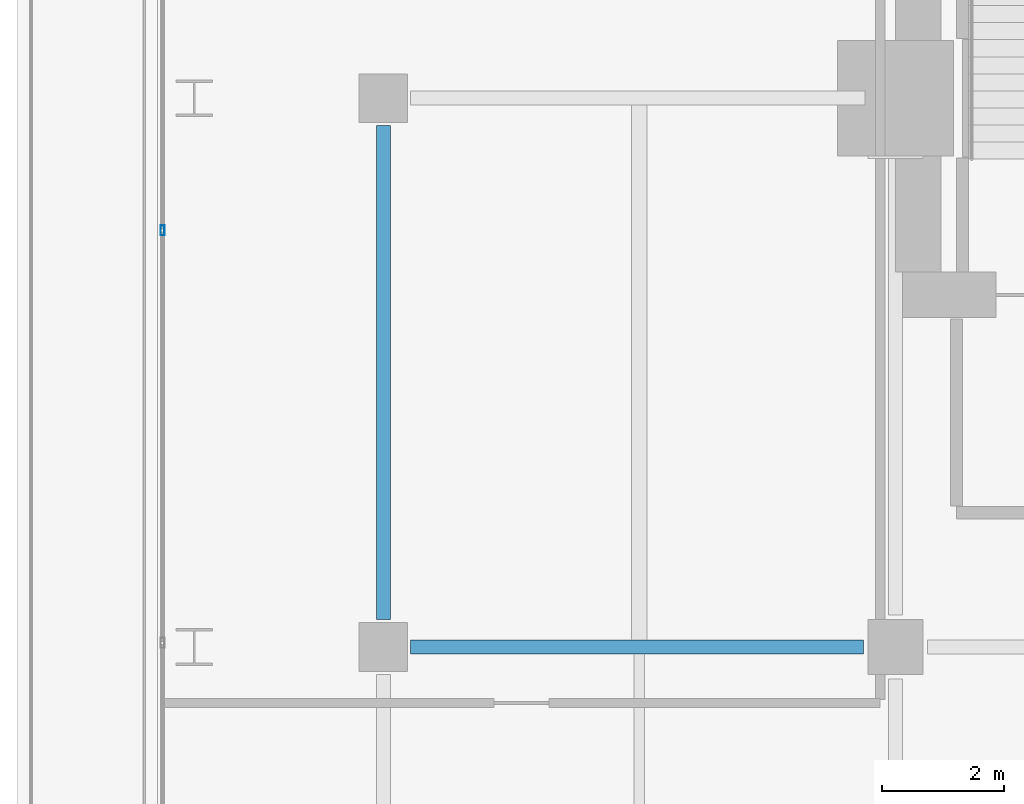
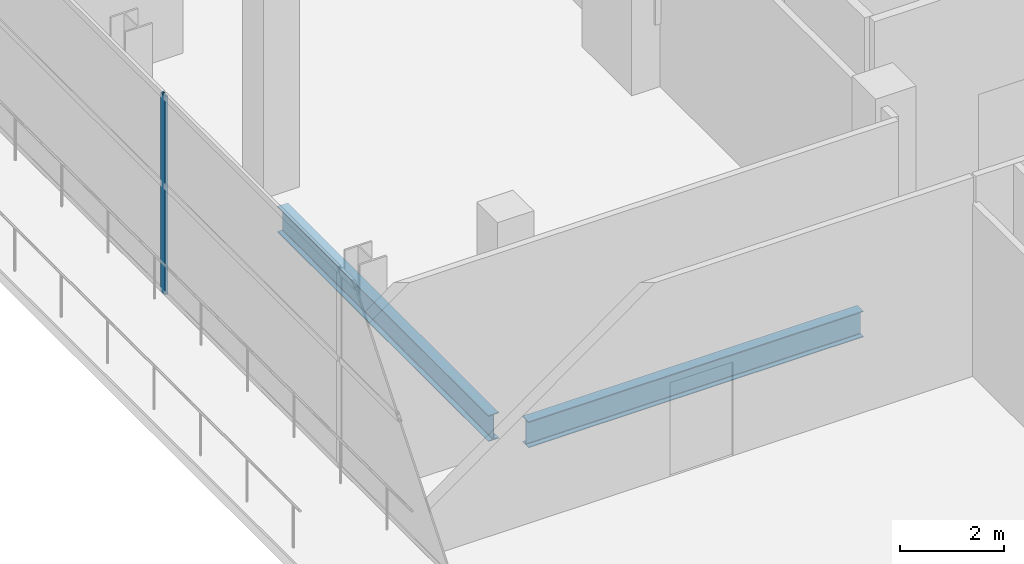
# One storey, part 17 of 31: 2 beams, 1 member, 1 element without a shape of its own.
"""IFC4 building model written with IfcOpenShell, lengths in metres."""

import ifcopenshell
import ifcopenshell.guid

model = None  # the IFC model being written
_history = None  # IfcOwnerHistory: only IFC2X3 demands one
_inside = {}  # id of a spatial element -> (the spatial element, [elements in it])
_under = {}  # id of a project, library or spatial element -> (it, [spatial elements below it])
_declared = {}  # id of a project -> (the project, [libraries it declares])
_typed = {}  # id of a type object -> (the type object, [elements of that type])
_made_of = {}  # id of a material, layer set ... -> (it, [elements and type objects made of it])


def new_model(schema):
    """Start an empty IFC model of exactly this schema.

    Asked for "IFC4X3", IfcOpenShell would pick the latest addendum, in which some entities
    have other attributes; the version numbers below select the first issue.
    IFC2X3 requires an IfcOwnerHistory on every rooted entity: one is made here for all.
    """
    global model, _history
    if schema == "IFC4X3":
        model = ifcopenshell.file(schema_version=(4, 3, 0, 0))
    else:
        model = ifcopenshell.file(schema=schema)
    _inside.clear()
    _under.clear()
    _declared.clear()
    _typed.clear()
    _made_of.clear()
    _history = None
    if model.schema == "IFC2X3":
        org = make("IfcOrganization", Name="unknown")
        user = make(
            "IfcPersonAndOrganization",
            ThePerson=make("IfcPerson", FamilyName="unknown"),
            TheOrganization=org,
        )
        app = make(
            "IfcApplication",
            ApplicationDeveloper=org,
            Version="unknown",
            ApplicationFullName="unknown",
            ApplicationIdentifier="unknown",
        )
        _history = make(
            "IfcOwnerHistory",
            OwningUser=user,
            OwningApplication=app,
            ChangeAction="ADDED",
            CreationDate=0,
        )
    return model


def make(cls, **values):
    """One entity of the class cls with the attributes given. An attribute that is None is left unset."""
    return model.create_entity(
        cls, **{name: value for name, value in values.items() if value is not None}
    )


def rooted(cls, **values):
    """An entity with a GlobalId (a new one), such as an element, a storey or a relation."""
    return make(cls, GlobalId=ifcopenshell.guid.new(), OwnerHistory=_history, **values)


def si_unit(unit_type, name, prefix=None):
    """IfcSIUnit, for example si_unit("LENGTHUNIT", "METRE", prefix="MILLI")."""
    return make("IfcSIUnit", UnitType=unit_type, Prefix=prefix, Name=name)


def assignment(units):
    """IfcUnitAssignment: the units of a project."""
    return None if units is None else make("IfcUnitAssignment", Units=units)


def point(xyz):
    """IfcCartesianPoint."""
    return None if xyz is None else make("IfcCartesianPoint", Coordinates=xyz)


def direction(xyz):
    """IfcDirection."""
    return None if xyz is None else make("IfcDirection", DirectionRatios=xyz)


def frame(location, z_axis=None, x_axis=None):
    """IfcAxis2Placement3D, a coordinate frame: its origin and axes. An axis left out is left unset."""
    return make(
        "IfcAxis2Placement3D",
        Location=point(location),
        Axis=direction(z_axis),
        RefDirection=direction(x_axis),
    )


def frame_2d(location, x_axis=None):
    """IfcAxis2Placement2D, a coordinate frame in the plane: its origin and x axis."""
    return make(
        "IfcAxis2Placement2D", Location=point(location), RefDirection=direction(x_axis)
    )


def origin():
    """The frame at (0, 0, 0) with its axes left unset."""
    return frame((0.0, 0.0, 0.0))


def origin_2d():
    """The frame at (0, 0) in the plane with its x axis left unset."""
    return frame_2d((0.0, 0.0))


def place(relative_to, where):
    """IfcLocalPlacement: puts the frame where relative to a parent placement (None: the world)."""
    return make(
        "IfcLocalPlacement", PlacementRelTo=relative_to, RelativePlacement=where
    )


def context(
    kind, dimensions, precision=None, world=None, true_north=None, identifier=None
):
    """IfcGeometricRepresentationContext, for example the 3D "Model" context."""
    return make(
        "IfcGeometricRepresentationContext",
        ContextIdentifier=identifier,
        ContextType=kind,
        CoordinateSpaceDimension=dimensions,
        Precision=precision,
        WorldCoordinateSystem=world,
        TrueNorth=true_north,
    )


def subcontext(parent, identifier, kind, view, scale=None):
    """IfcGeometricRepresentationSubContext, for example "Body" below "Model"."""
    return make(
        "IfcGeometricRepresentationSubContext",
        ContextIdentifier=identifier,
        ContextType=kind,
        ParentContext=parent,
        TargetScale=scale,
        TargetView=view,
    )


def project(units=None, contexts=None):
    """IfcProject with its units and contexts."""
    return rooted(
        "IfcProject",
        Name="project",
        RepresentationContexts=contexts,
        UnitsInContext=assignment(units),
    )


def spatial(cls, under=None, at=None, **own):
    """A site, building, storey or space (cls), placed at a placement, below another one or the project."""
    s = rooted(cls, ObjectPlacement=at, **own)
    if under is not None:
        _under.setdefault(under.id(), (under, []))[1].append(s)
    return s


def profile(cls, at=None, kind="AREA", **sizes):
    """A parametric profile (cls). Its sizes go by their IFC names, for example OverallWidth=200.0."""
    return make(cls, ProfileType=kind, Position=at, **sizes)


def hollow_rectangle(**sizes):
    """IfcRectangleHollowProfileDef."""
    return profile("IfcRectangleHollowProfileDef", **sizes)


def i_section(**sizes):
    """IfcIShapeProfileDef."""
    return profile("IfcIShapeProfileDef", **sizes)


def extrude(swept, where, along, depth):
    """IfcExtrudedAreaSolid: the profile swept, set in the frame where, extruded along a direction by depth."""
    return make(
        "IfcExtrudedAreaSolid",
        SweptArea=swept,
        Position=where,
        ExtrudedDirection=direction(along),
        Depth=depth,
    )


def shape(context_of_items, identifier, shape_type, items):
    """IfcShapeRepresentation: the items that make up one representation, for example the "Body"."""
    return make(
        "IfcShapeRepresentation",
        ContextOfItems=context_of_items,
        RepresentationIdentifier=identifier,
        RepresentationType=shape_type,
        Items=items,
    )


def material(Name=None, Category=None):
    """IfcMaterial."""
    return make("IfcMaterial", Name=Name, Category=Category)


def layer(
    of_material, thickness, ventilated=None, Name=None, Category=None, Priority=None
):
    """IfcMaterialLayer: one layer of a wall or slab, of a material (None: an air gap)."""
    return make(
        "IfcMaterialLayer",
        Material=of_material,
        LayerThickness=thickness,
        IsVentilated=ventilated,
        Name=Name,
        Category=Category,
        Priority=Priority,
    )


def layer_set(layers, Name=None):
    """IfcMaterialLayerSet."""
    return make("IfcMaterialLayerSet", MaterialLayers=layers, LayerSetName=Name)


def material_profile(
    of_material, cross_section, Name=None, Category=None, Priority=None
):
    """IfcMaterialProfile: a cross section and its material."""
    return make(
        "IfcMaterialProfile",
        Name=Name,
        Material=of_material,
        Profile=cross_section,
        Priority=Priority,
        Category=Category,
    )


def profile_set(profiles, Name=None, composite=None):
    """IfcMaterialProfileSet."""
    return make(
        "IfcMaterialProfileSet",
        Name=Name,
        MaterialProfiles=profiles,
        CompositeProfile=composite,
    )


def made_of(thing, what):
    """Note that an element or type object is made of a material, layer set ...; save() writes the relation."""
    if what is not None:
        _made_of.setdefault(what.id(), (what, []))[1].append(thing)
    return thing


def type_object(cls, material=None, **own):
    """A type object (cls), such as IfcWallType, which elements share."""
    return made_of(rooted(cls, **own), material)


def element(
    cls,
    number,
    at=None,
    inside=None,
    cuts=None,
    type_object=None,
    material=None,
    context=None,
    identifier="Body",
    shape_type=None,
    held_by="IfcProductDefinitionShape",
    body=None,
    shapes=None,
    **own,
):
    """One element of the class cls, such as IfcWall. Its Tag is "e" and its number.

    at: its placement. inside: the storey or other place that contains it. cuts: it is an
    opening in that element (IfcRelVoidsElement). A single representation is given by context,
    identifier, shape_type and body (its items); several are given by shapes. held_by: the class
    of the entity that holds the representations. save() writes the other relations.
    """
    e = rooted(cls, Tag="e%d" % number, ObjectPlacement=at, **own)
    if body is not None:
        shapes = [shape(context, identifier, shape_type, body)]
    if shapes is not None:
        e.Representation = make(held_by, Representations=shapes)
    if inside is not None:
        _inside.setdefault(inside.id(), (inside, []))[1].append(e)
    if cuts is not None:
        rooted(
            "IfcRelVoidsElement", RelatingBuildingElement=cuts, RelatedOpeningElement=e
        )
    if type_object is not None:
        _typed.setdefault(type_object.id(), (type_object, []))[1].append(e)
    return made_of(e, material)


def aggregate(whole, parts):
    """IfcRelAggregates: a whole, such as a stair, and the parts it consists of."""
    return rooted("IfcRelAggregates", RelatingObject=whole, RelatedObjects=parts)


def save(model, path):
    """Write the relations noted so far, then the file.

    IfcRelAggregates (storeys below a building ...), IfcRelContainedInSpatialStructure (elements
    in a storey), IfcRelDefinesByType, IfcRelAssociatesMaterial and IfcRelDeclares: one each for
    every whole, place, type object, material and project.
    """
    for whole, parts in _under.values():
        aggregate(whole, parts)
    for where, things in _inside.values():
        rooted(
            "IfcRelContainedInSpatialStructure",
            RelatedElements=things,
            RelatingStructure=where,
        )
    for kind, things in _typed.values():
        rooted("IfcRelDefinesByType", RelatedObjects=things, RelatingType=kind)
    for what, things in _made_of.values():
        rooted("IfcRelAssociatesMaterial", RelatedObjects=things, RelatingMaterial=what)
    for by, libraries in _declared.values():
        rooted("IfcRelDeclares", RelatingContext=by, RelatedDefinitions=libraries)
    model.write(path)


model = new_model("IFC4")

# Units and contexts
model_context = context("Model", 3, precision=1e-05, world=origin(), true_north=direction((0.0, 1.0)))
body_context = subcontext(model_context, "Body", "Model", "MODEL_VIEW")
ifc_project = project(units=[si_unit("LENGTHUNIT", "METRE"), si_unit("AREAUNIT", "SQUARE_METRE"), si_unit("VOLUMEUNIT", "CUBIC_METRE"), si_unit("PLANEANGLEUNIT", "RADIAN"), si_unit("MASSUNIT", "GRAM", prefix="KILO")], contexts=[model_context])

# Site, building, storey
site_placement = place(None, origin())
site = spatial("IfcSite", under=ifc_project, at=site_placement, CompositionType="ELEMENT")
building_placement = place(site_placement, origin())
building = spatial("IfcBuilding", under=site, at=building_placement, Name="Maruvema Waterfront Hotel and Observation Tower", CompositionType="ELEMENT")
storey_placement = place(building_placement, frame((0.0, 0.0, 122.5)))
storey = spatial("IfcBuildingStorey", under=building, at=storey_placement, Name="L29", CompositionType="ELEMENT", Elevation=122.5)

# Curtain wall, member
ifc_material_1 = material(Name="Anodised bronze aluminium and solar-control low-E IGU", Category="aluminium")
ifc_layer = layer(ifc_material_1, 0.159912109375, Name="Zone 2 Amber Inner Thermal Curtain Wall System CW-03")
ifc_layer_set = layer_set([ifc_layer], Name="Anodised bronze aluminium and solar-control low-E IGU")
curtain_wall_type = type_object("IfcCurtainWallType", Name="Zone 2 Amber Inner Thermal Curtain Wall System CW-03", PredefinedType="USERDEFINED", material=ifc_layer_set)
curtain_wall_placement = place(storey_placement, origin())
curtain_wall = element("IfcCurtainWall", 1, at=curtain_wall_placement, inside=storey, type_object=curtain_wall_type, Name="L29 Curtain Wall CW-L29-W", ObjectType="UNITISED CURTAIN WALL", PredefinedType="USERDEFINED")
ifc_material_2 = material(Name="Anodised architectural bronze aluminium", Category="aluminium")
ifc_material_profile_1 = material_profile(ifc_material_2, hollow_rectangle(XDim=0.06494140625, YDim=0.1650390625, WallThickness=0.00390625, at=origin_2d()), Name="ALU-M65x165")
ifc_profile_set_1 = profile_set([ifc_material_profile_1], Name="Anodised architectural bronze aluminium")
member_type = type_object("IfcMemberType", Name="Curtain Wall Primary Mullion ALU-M65x165", PredefinedType="MULLION", material=ifc_profile_set_1)
member_placement = place(storey_placement, frame((13.179931640625, 42.833251953125, 0.0), z_axis=(0.0, 0.0, 1.0), x_axis=(1.0, 0.0, 0.0)))
member = element("IfcMember", 2, at=member_placement, type_object=member_type, Name="CW-03 mullion 2", PredefinedType="MULLION", context=body_context, shape_type="SweptSolid", body=[
    extrude(hollow_rectangle(XDim=0.06494140625, YDim=0.1650390625, WallThickness=0.00390625, at=origin_2d()), origin(), (0.0, 0.0, 1.0), 4.659912109375),
])
aggregate(curtain_wall, [member])

# Beams
ifc_material_3 = material(Name="Steel ASTM A572 Grade 50", Category="steel")
ifc_material_profile_2 = material_profile(ifc_material_3, i_section(OverallWidth=0.22900390625, OverallDepth=0.612060546875, WebThickness=0.011962890625, FlangeThickness=0.01953125, FilletRadius=0.01806640625, at=origin_2d()), Name="W610x125.0")
ifc_profile_set_2 = profile_set([ifc_material_profile_2], Name="Steel ASTM A572 Grade 50")
beam_type = type_object("IfcBeamType", Name="Primary Floor Girder W610x125.0", PredefinedType="BEAM", material=ifc_profile_set_2)
beam_1_placement = place(storey_placement, frame((17.25, 36.0, -0.5458984375), z_axis=(1.0, 0.0, 0.0), x_axis=(0.0, 1.0, 0.0)))
element("IfcBeam", 3, at=beam_1_placement, inside=storey, type_object=beam_type, Name="L29 Floor Girder EW-14", PredefinedType="BEAM", context=body_context, shape_type="SweptSolid", body=[
    extrude(i_section(OverallWidth=0.22900390625, OverallDepth=0.612060546875, WebThickness=0.011962890625, FlangeThickness=0.01953125, FilletRadius=0.01806640625, at=origin_2d()), origin(), (0.0, 0.0, 1.0), 7.425048828125),
])
beam_2_placement = place(storey_placement, frame((16.800048828125, 36.449951171875, -0.5458984375), z_axis=(0.0, 1.0, 0.0), x_axis=(-1.0, 0.0, 0.0)))
element("IfcBeam", 4, at=beam_2_placement, inside=storey, type_object=beam_type, Name="L29 Floor Girder NS-04", PredefinedType="BEAM", context=body_context, shape_type="SweptSolid", body=[
    extrude(i_section(OverallWidth=0.22900390625, OverallDepth=0.612060546875, WebThickness=0.011962890625, FlangeThickness=0.01953125, FilletRadius=0.01806640625, at=origin_2d()), origin(), (0.0, 0.0, 1.0), 8.10009765625),
])

save(model, "model.ifc")
